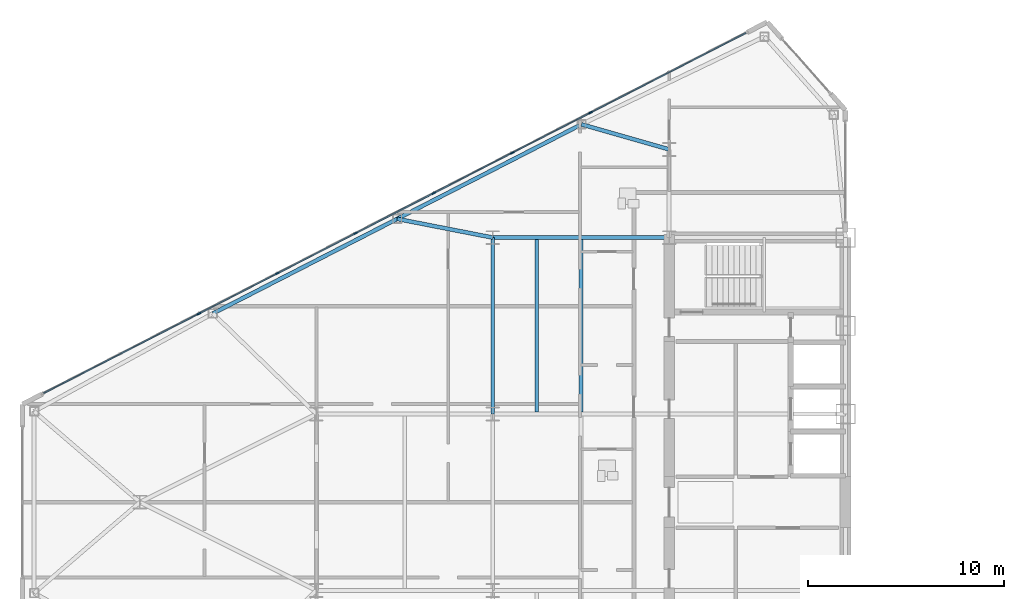
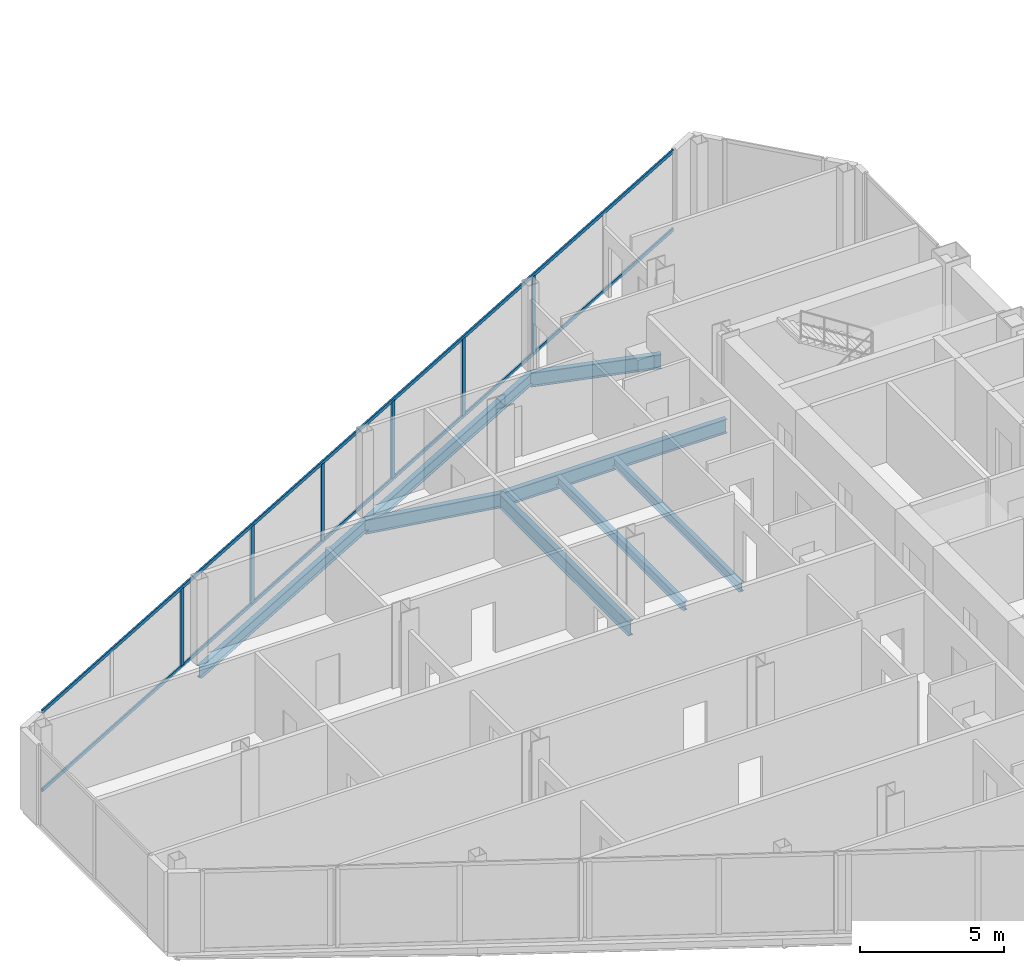
# One storey, part 6 of 23: 8 beams, 8 members, 1 element without a shape of its own.
"""IFC4 building model written with IfcOpenShell, lengths in metres."""

from ifc_helpers import new_model, si_unit, direction, frame, origin, origin_2d, place, context, subcontext, project, spatial, rectangle, i_section, extrude, source, transform, mapped, material, layer, layer_set, material_profile, profile_set, type_object, type_shapes, element, aggregate, save


model = new_model("IFC4")

# Units and contexts
model_context = context("Model", 3, precision=1e-05, world=origin(), true_north=direction((0.0, 1.0)))
body_context = subcontext(model_context, "Body", "Model", "MODEL_VIEW")
ifc_project = project(units=[si_unit("LENGTHUNIT", "METRE"), si_unit("AREAUNIT", "SQUARE_METRE"), si_unit("VOLUMEUNIT", "CUBIC_METRE"), si_unit("PLANEANGLEUNIT", "RADIAN"), si_unit("MASSUNIT", "GRAM", prefix="KILO")], contexts=[model_context])

# Site, building, storey
site_placement = place(None, origin())
site = spatial("IfcSite", under=ifc_project, at=site_placement, CompositionType="ELEMENT")
building_placement = place(site_placement, origin())
building = spatial("IfcBuilding", under=site, at=building_placement, Name="Seokmaru Belvedere", CompositionType="ELEMENT")
storey_placement = place(building_placement, frame((0.0, 0.0, 144.0)))
storey = spatial("IfcBuildingStorey", under=building, at=storey_placement, Name="L38", CompositionType="ELEMENT", Elevation=144.0)

# Beams
ifc_material_1 = material(Name="Steel SM355 (355 MPa)", Category="steel")
ifc_material_profile_1 = material_profile(ifc_material_1, i_section(OverallWidth=0.199951171875, OverallDepth=0.60009765625, WebThickness=0.010986328125, FlangeThickness=0.01708984375, at=origin_2d()), Name="H-600x200x11x17")
ifc_profile_set_1 = profile_set([ifc_material_profile_1], Name="Steel SM355 (355 MPa)")
beam_type_1 = type_object("IfcBeamType", Name="Primary Floor Girder H-600", PredefinedType="BEAM", material=ifc_profile_set_1)
shared_shape_1 = source(origin(), body_context, "Body", "SweptSolid", [
    extrude(i_section(OverallWidth=0.199951171875, OverallDepth=0.60009765625, WebThickness=0.010986328125, FlangeThickness=0.01708984375, at=origin_2d()), origin(), (0.0, 0.0, 1.0), 9.0),
])
for number, where, z_axis, x_axis, name in (
    (1, (-45.5, 4.5, -0.52001953125), (0.0, 1.0, 0.0), (-1.0, 0.0, 0.0), "L38 W Interior Grid Girder 3"),
    (2, (-45.5, 13.5, -0.52001953125), (1.0, 0.0, 0.0), (0.0, 1.0, 0.0), "L38 W Wing Primary Girder 4"),
):
    element("IfcBeam", number, at=place(storey_placement, frame(where, z_axis=z_axis, x_axis=x_axis)), inside=storey, type_object=beam_type_1, Name=name, PredefinedType="BEAM", context=body_context, shape_type="MappedRepresentation", body=[
        mapped(shared_shape_1, transform((0.0, 0.0, 0.0), scale=1.0)),
    ])
ifc_material_profile_2 = material_profile(ifc_material_1, i_section(OverallWidth=0.18505859375, OverallDepth=0.389892578125, WebThickness=0.008056640625, FlangeThickness=0.011962890625, at=origin_2d()), Name="H-390x185x8x12")
ifc_profile_set_2 = profile_set([ifc_material_profile_2], Name="Steel SM355 (355 MPa)")
beam_type_2 = type_object("IfcBeamType", Name="Secondary Floor Joist H-350", PredefinedType="JOIST", material=ifc_profile_set_2)
shared_shape_2 = source(origin(), body_context, "Body", "SweptSolid", [
    extrude(i_section(OverallWidth=0.18505859375, OverallDepth=0.389892578125, WebThickness=0.008056640625, FlangeThickness=0.011962890625, at=origin_2d()), origin(), (0.0, 0.0, 1.0), 8.7900390625),
])
type_shapes(beam_type_2, [shared_shape_2])
for number, where, z_axis, x_axis, name in (
    (3, (-43.25, 4.60498046875, -0.4150390625), (0.0, 1.0, 0.0), (-1.0, 0.0, 0.0), "L38 W Wing Inner Secondary Joist 2"),
    (4, (-41.0, 4.60498046875, -0.4150390625), (0.0, 1.0, 0.0), (-1.0, 0.0, 0.0), "L38 W Secondary Floor Joist 3"),
):
    element("IfcBeam", number, at=place(storey_placement, frame(where, z_axis=z_axis, x_axis=x_axis)), inside=storey, type_object=beam_type_2, Name=name, PredefinedType="JOIST", context=body_context, shape_type="MappedRepresentation", body=[
        mapped(shared_shape_2, transform((0.0, 0.0, 0.0), scale=1.0)),
    ])
ifc_material_profile_3 = material_profile(ifc_material_1, i_section(OverallWidth=0.199951171875, OverallDepth=0.5, WebThickness=0.010009765625, FlangeThickness=0.01611328125, at=origin_2d()), Name="H-500x200x10x16")
ifc_profile_set_3 = profile_set([ifc_material_profile_3], Name="Steel SM355 (355 MPa)")
beam_type_3 = type_object("IfcBeamType", Name="Perimeter Spandrel Beam H-500", PredefinedType="SPANDREL", material=ifc_profile_set_3)
shared_shape_3 = source(origin(), body_context, "Body", "SweptSolid", [
    extrude(i_section(OverallWidth=0.199951171875, OverallDepth=0.5, WebThickness=0.010009765625, FlangeThickness=0.01611328125, at=origin_2d()), origin(), (0.0, 0.0, 1.0), 10.56689453125),
])
type_shapes(beam_type_3, [shared_shape_3])
for number, where, z_axis, x_axis, name in (
    (5, (-40.975830078125, 19.277587890625, -0.469970703125), (-0.889701972758, -0.45654178305, 0.0), (0.45654178305, -0.889701972758, 0.0), "L38 W Faceted Flank Spandrel N-2"),
    (6, (-50.377197265625, 14.453369140625, -0.469970703125), (-0.889692588006, -0.456560071455, 0.0), (0.456560071455, -0.889692588006, 0.0), "L38 W Faceted Flank Spandrel N-3"),
):
    element("IfcBeam", number, at=place(storey_placement, frame(where, z_axis=z_axis, x_axis=x_axis)), inside=storey, type_object=beam_type_3, Name=name, PredefinedType="SPANDREL", context=body_context, shape_type="MappedRepresentation", body=[
        mapped(shared_shape_3, transform((0.0, 0.0, 0.0), scale=1.0)),
    ])
shared_shape_4 = source(origin(), body_context, "Body", "SweptSolid", [
    extrude(i_section(OverallWidth=0.199951171875, OverallDepth=0.60009765625, WebThickness=0.010986328125, FlangeThickness=0.01708984375, at=origin_2d()), origin(), (0.0, 0.0, 1.0), 4.654541015625),
])
beam_1_placement = place(storey_placement, frame((-40.975830078125, 19.277587890625, -0.52001953125), z_axis=(0.961593192625, -0.274478654721, 0.0), x_axis=(0.274478654721, 0.961593192625, 0.0)))
element("IfcBeam", 7, at=beam_1_placement, inside=storey, type_object=beam_type_1, Name="L38 W Flank Radial Floor Girder N-1", PredefinedType="BEAM", context=body_context, shape_type="MappedRepresentation", body=[
    mapped(shared_shape_4, transform((0.0, 0.0, 0.0), scale=1.0)),
])
shared_shape_5 = source(origin(), body_context, "Body", "SweptSolid", [
    extrude(i_section(OverallWidth=0.199951171875, OverallDepth=0.60009765625, WebThickness=0.010986328125, FlangeThickness=0.01708984375, at=origin_2d()), origin(), (0.0, 0.0, 1.0), 4.969482421875),
])
type_shapes(beam_type_1, [shared_shape_1, shared_shape_4, shared_shape_5])
beam_2_placement = place(storey_placement, frame((-50.377197265625, 14.453369140625, -0.52001953125), z_axis=(0.98142544456, -0.19184393858, 0.0), x_axis=(0.19184393858, 0.98142544456, 0.0)))
element("IfcBeam", 8, at=beam_2_placement, inside=storey, type_object=beam_type_1, Name="L38 W Flank Radial Floor Girder N-2", PredefinedType="BEAM", context=body_context, shape_type="MappedRepresentation", body=[
    mapped(shared_shape_5, transform((0.0, 0.0, 0.0), scale=1.0)),
])

# Curtain wall, members
ifc_material_2 = material(Name="Bronze Triple Insulating Glass", Category="glass")
ifc_layer = layer(ifc_material_2, 0.195068359375)
ifc_layer_set = layer_set([ifc_layer], Name="Bronze Triple Insulating Glass")
curtain_wall_type = type_object("IfcCurtainWallType", Name="Sky-Lobby and Mid-Rise Curtain Wall System CW-4", PredefinedType="NOTDEFINED", material=ifc_layer_set)
curtain_wall_placement = place(storey_placement, origin())
curtain_wall = element("IfcCurtainWall", 9, at=curtain_wall_placement, inside=storey, type_object=curtain_wall_type, Name="L38 Curtain Wall WF3", PredefinedType="NOTDEFINED")
ifc_material_3 = material(Name="Anodised Bronze Aluminium", Category="aluminium")
ifc_material_profile_4 = material_profile(ifc_material_3, rectangle(XDim=0.070068359375, YDim=0.195068359375, at=origin_2d()), Name="CW-M-70x195")
ifc_profile_set_4 = profile_set([ifc_material_profile_4], Name="Anodised Bronze Aluminium")
member_type_1 = type_object("IfcMemberType", Name="Bronze Unitised Mullion 70x195", PredefinedType="MULLION", material=ifc_profile_set_4)
shared_shape_6 = source(origin(), body_context, "Body", "SweptSolid", [
    extrude(rectangle(XDim=0.070068359375, YDim=0.195068359375, at=origin_2d()), origin(), (0.0, 0.0, 1.0), 3.25),
])
type_shapes(member_type_1, [shared_shape_6])
member_1_placement = place(storey_placement, frame((-40.5126953125, 19.875, 0.06494140625), z_axis=(0.0, 0.0, 1.0), x_axis=(0.456554528263, -0.889695432562, 0.0)))
member_1 = element("IfcMember", 10, at=member_1_placement, type_object=member_type_1, Name="CW:L38:WF3 Mullion 3", PredefinedType="MULLION", context=body_context, shape_type="MappedRepresentation", body=[
    mapped(shared_shape_6, transform((0.0, 0.0, 0.0), scale=1.0)),
])
member_2_placement = place(storey_placement, frame((-44.5078125, 17.824951171875, 0.06494140625), z_axis=(0.0, 0.0, 1.0), x_axis=(0.456554528263, -0.889695432562, 0.0)))
member_2 = element("IfcMember", 11, at=member_2_placement, type_object=member_type_1, Name="CW:L38:WF3 Mullion 4", PredefinedType="MULLION", context=body_context, shape_type="MappedRepresentation", body=[
    mapped(shared_shape_6, transform((0.0, 0.0, 0.0), scale=1.0)),
])
member_3_placement = place(storey_placement, frame((-48.502685546875, 15.77490234375, 0.06494140625), z_axis=(0.0, 0.0, 1.0), x_axis=(0.456554528263, -0.889695432562, 0.0)))
member_3 = element("IfcMember", 12, at=member_3_placement, type_object=member_type_1, Name="CW:L38:WF3 Mullion 5", PredefinedType="MULLION", context=body_context, shape_type="MappedRepresentation", body=[
    mapped(shared_shape_6, transform((0.0, 0.0, 0.0), scale=1.0)),
])
member_4_placement = place(storey_placement, frame((-52.497314453125, 13.72509765625, 0.06494140625), z_axis=(0.0, 0.0, 1.0), x_axis=(0.456554528263, -0.889695432562, 0.0)))
member_4 = element("IfcMember", 13, at=member_4_placement, type_object=member_type_1, Name="CW:L38:WF3 Mullion 6", PredefinedType="MULLION", context=body_context, shape_type="MappedRepresentation", body=[
    mapped(shared_shape_6, transform((0.0, 0.0, 0.0), scale=1.0)),
])
member_5_placement = place(storey_placement, frame((-56.4921875, 11.675048828125, 0.06494140625), z_axis=(0.0, 0.0, 1.0), x_axis=(0.456554528263, -0.889695432562, 0.0)))
member_5 = element("IfcMember", 14, at=member_5_placement, type_object=member_type_1, Name="CW:L38:WF3 Mullion 7", PredefinedType="MULLION", context=body_context, shape_type="MappedRepresentation", body=[
    mapped(shared_shape_6, transform((0.0, 0.0, 0.0), scale=1.0)),
])
member_6_placement = place(storey_placement, frame((-60.4873046875, 9.625, 0.06494140625), z_axis=(0.0, 0.0, 1.0), x_axis=(0.456554528263, -0.889695432562, 0.0)))
member_6 = element("IfcMember", 15, at=member_6_placement, type_object=member_type_1, Name="CW:L38:WF3 Mullion 8", PredefinedType="MULLION", context=body_context, shape_type="MappedRepresentation", body=[
    mapped(shared_shape_6, transform((0.0, 0.0, 0.0), scale=1.0)),
])
ifc_material_profile_5 = material_profile(ifc_material_3, rectangle(XDim=0.06494140625, YDim=0.14990234375, at=origin_2d()), Name="CW-T-65x150")
ifc_profile_set_5 = profile_set([ifc_material_profile_5], Name="Anodised Bronze Aluminium")
member_type_2 = type_object("IfcMemberType", Name="Bronze Unitised Transom 65x150", PredefinedType="USERDEFINED", material=ifc_profile_set_5)
shared_shape_7 = source(origin(), body_context, "Body", "SweptSolid", [
    extrude(rectangle(XDim=0.06494140625, YDim=0.14990234375, at=origin_2d()), origin(), (0.0, 0.0, 1.0), 40.271240234375),
])
type_shapes(member_type_2, [shared_shape_7])
member_7_placement = place(storey_placement, frame((-32.58544921875, 23.943115234375, 0.032470703125), z_axis=(-0.889693089107, -0.456559094965, 0.0), x_axis=(0.456559094965, -0.889693089107, 0.0)))
member_7 = element("IfcMember", 16, at=member_7_placement, type_object=member_type_2, Name="CW:L38:WF3 Continuous Transom 1", ObjectType="TRANSOM", PredefinedType="USERDEFINED", context=body_context, shape_type="MappedRepresentation", body=[
    mapped(shared_shape_7, transform((0.0, 0.0, 0.0), scale=1.0)),
])
member_8_placement = place(storey_placement, frame((-32.58544921875, 23.943115234375, 3.347412109375), z_axis=(-0.889693089107, -0.456559094965, 0.0), x_axis=(0.456559094965, -0.889693089107, 0.0)))
member_8 = element("IfcMember", 17, at=member_8_placement, type_object=member_type_2, Name="CW:L38:WF3 Continuous Transom 2", ObjectType="TRANSOM", PredefinedType="USERDEFINED", context=body_context, shape_type="MappedRepresentation", body=[
    mapped(shared_shape_7, transform((0.0, 0.0, 0.0), scale=1.0)),
])
aggregate(curtain_wall, [member_1, member_2, member_3, member_4, member_5, member_6, member_7, member_8])

save(model, "model.ifc")
